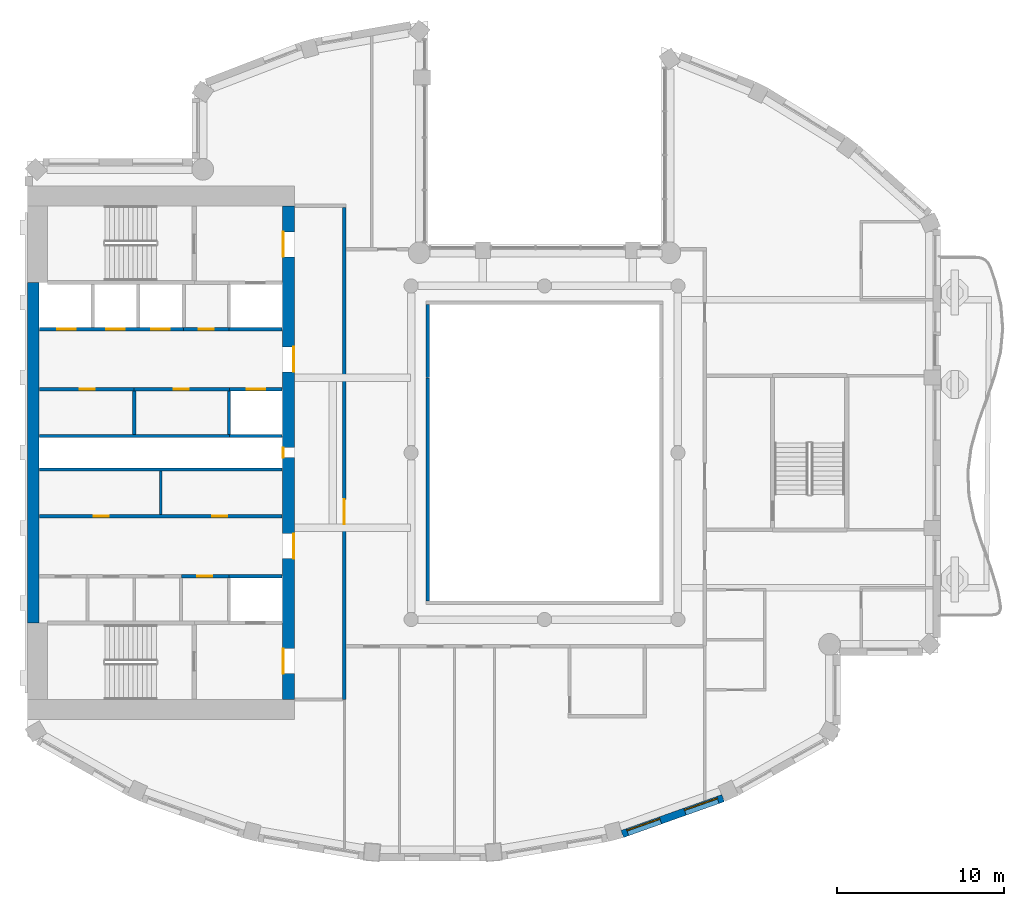
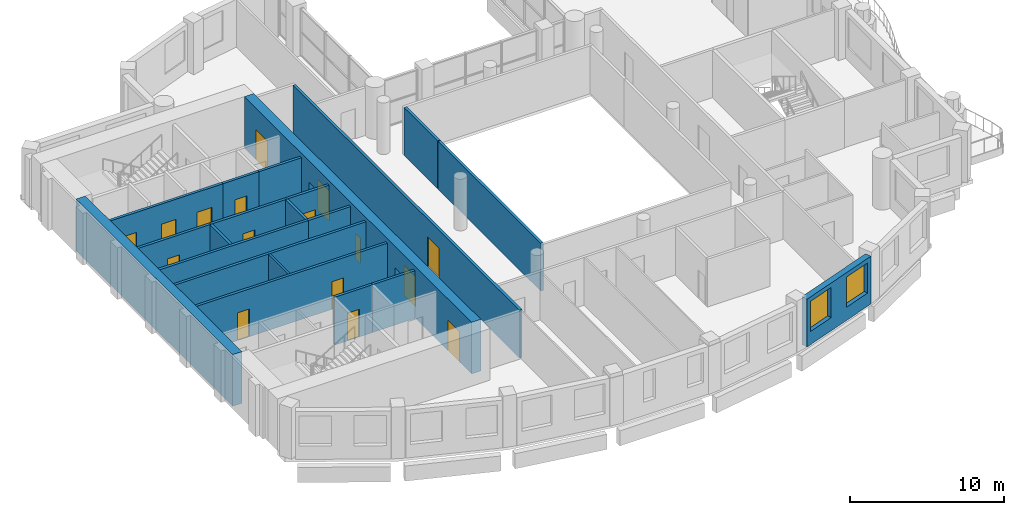
# One storey, part 5 of 14: 21 walls, 16 doors, 2 windows, 18 openings.
"""IFC4 building model written with IfcOpenShell, lengths in metres."""

from ifc_helpers import new_model, si_unit, direction, frame, frame_2d, origin, place, context, subcontext, project, spatial, rectangle, extrude, material, layer, layer_set, type_object, element, fill, save


model = new_model("IFC4")

# Units and contexts
model_context = context("Model", 3, precision=1e-05, world=origin(), true_north=direction((0.0, 1.0)))
body_context = subcontext(model_context, "Body", "Model", "MODEL_VIEW")
ifc_project = project(units=[si_unit("LENGTHUNIT", "METRE"), si_unit("AREAUNIT", "SQUARE_METRE"), si_unit("VOLUMEUNIT", "CUBIC_METRE"), si_unit("PLANEANGLEUNIT", "RADIAN"), si_unit("MASSUNIT", "GRAM", prefix="KILO")], contexts=[model_context])

# Site, building, storey
site_placement = place(None, origin())
site = spatial("IfcSite", under=ifc_project, at=site_placement, CompositionType="ELEMENT")
building_placement = place(site_placement, origin())
building = spatial("IfcBuilding", under=site, at=building_placement, Name="Cypress Arch Tower", CompositionType="ELEMENT")
storey_placement = place(building_placement, frame((0.0, 0.0, 296.699951171875)))
storey = spatial("IfcBuildingStorey", under=building, at=storey_placement, Name="L67", CompositionType="ELEMENT", Elevation=296.699951171875)

# Wall, openings, windows
ifc_material_1 = material(Name="Brick (red buff blend)", Category="masonry")
ifc_layer_1 = layer(ifc_material_1, 0.449951171875)
ifc_layer_set_1 = layer_set([ifc_layer_1], Name="Brick pier and spandrel wall BW450")
wall_type_1 = type_object("IfcWallType", Name="Brick pier and spandrel wall BW450", PredefinedType="SOLIDWALL", material=ifc_layer_set_1)
wall_1_placement = place(storey_placement, frame((5.66455078125, -22.859375, 0.0), z_axis=(0.0, 0.0, 1.0), x_axis=(0.942108340262, 0.335308626803, 0.0)))
wall_1 = element("IfcWall", 1, at=wall_1_placement, inside=storey, type_object=wall_type_1, Name="Brick wall L67 C13.0", PredefinedType="SOLIDWALL", context=body_context, shape_type="SweptSolid", body=[
    extrude(rectangle(XDim=6.41162109375, YDim=0.449951171875, at=frame_2d((3.205810546875, 0.0))), origin(), (0.0, 0.0, 1.0), 3.800048828125),
])
opening_1_placement = place(wall_1_placement, frame((0.3271484375, 0.0, 1.050048828125)))
opening_1 = element("IfcOpeningElement", 2, at=opening_1_placement, cuts=wall_1, Name="Opening W210O", PredefinedType="OPENING", context=body_context, shape_type="SweptSolid", body=[
    extrude(rectangle(XDim=2.10009765625, YDim=2.39990234375, at=frame_2d((1.050048828125, 1.199951171875))), frame((0.0, 0.23486328125, 0.0), z_axis=(0.0, -1.0, 0.0), x_axis=(1.0, 0.0, 0.0)), (0.0, 0.0, 1.0), 0.469970703125),
])
opening_2_placement = place(wall_1_placement, frame((3.984619140625, 0.0, 1.050048828125)))
opening_2 = element("IfcOpeningElement", 3, at=opening_2_placement, cuts=wall_1, Name="Opening W210O", PredefinedType="OPENING", context=body_context, shape_type="SweptSolid", body=[
    extrude(rectangle(XDim=2.10009765625, YDim=2.39990234375, at=frame_2d((1.050048828125, 1.199951171875))), frame((0.0, 0.23486328125, 0.0), z_axis=(0.0, -1.0, 0.0), x_axis=(1.0, 0.0, 0.0)), (0.0, 0.0, 1.0), 0.469970703125),
])
ifc_material_2 = material(Name="Anodised aluminium, bronze finish, clear low-emissivity double glazing", Category="aluminium")
window_type = type_object("IfcWindowType", Name="Window Office 2100x2400", PartitioningType="SINGLE_PANEL", PredefinedType="WINDOW", material=ifc_material_2)
window_1_placement = place(opening_1_placement, origin())
window_1 = element("IfcWindow", 4, at=window_1_placement, inside=storey, type_object=window_type, Name="Window L67 C13.0.1", OverallHeight=2.39990234375, OverallWidth=2.10009765625, PartitioningType="SINGLE_PANEL", PredefinedType="WINDOW", context=body_context, shape_type="SweptSolid", body=[
    extrude(rectangle(XDim=2.10009765625, YDim=2.39990234375, at=frame_2d((1.050048828125, 1.199951171875))), frame((0.0, 0.135009765625, 0.0), z_axis=(0.0, -1.0, 0.0), x_axis=(1.0, 0.0, 0.0)), (0.0, 0.0, 1.0), 0.06005859375),
])
fill(opening_1, window_1)
window_2_placement = place(opening_2_placement, origin())
window_2 = element("IfcWindow", 5, at=window_2_placement, inside=storey, type_object=window_type, Name="Window L67 C13.0.2", OverallHeight=2.39990234375, OverallWidth=2.10009765625, PartitioningType="SINGLE_PANEL", PredefinedType="WINDOW", context=body_context, shape_type="SweptSolid", body=[
    extrude(rectangle(XDim=2.10009765625, YDim=2.39990234375, at=frame_2d((1.050048828125, 1.199951171875))), frame((0.0, 0.135009765625, 0.0), z_axis=(0.0, -1.0, 0.0), x_axis=(1.0, 0.0, 0.0)), (0.0, 0.0, 1.0), 0.06005859375),
])
fill(opening_2, window_2)

# Wall, openings, doors
ifc_material_3 = material(Name="Concrete C60/75", Category="concrete")
ifc_layer_2 = layer(ifc_material_3, 0.699951171875)
ifc_layer_set_2 = layer_set([ifc_layer_2], Name="Core wall CW700 C60/75")
wall_type_2 = type_object("IfcWallType", Name="Core wall CW700 C60/75", PredefinedType="SHEAR", material=ifc_layer_set_2)
wall_2_placement = place(storey_placement, frame((-14.35009765625, -14.800048828125, 0.0), z_axis=(0.0, 0.0, 1.0), x_axis=(0.0, 1.0, 0.0)))
wall_2 = element("IfcWall", 6, at=wall_2_placement, inside=storey, type_object=wall_type_2, Name="Core wall", PredefinedType="SHEAR", context=body_context, shape_type="SweptSolid", body=[
    extrude(rectangle(XDim=29.60009765625, YDim=0.699951171875, at=frame_2d((14.800048828125, 0.0))), origin(), (0.0, 0.0, 1.0), 4.10009765625),
])
opening_3_placement = place(wall_2_placement, frame((1.550048828125, 0.0, 0.0)))
opening_3 = element("IfcOpeningElement", 7, at=opening_3_placement, cuts=wall_2, Name="Opening D07", PredefinedType="OPENING", context=body_context, shape_type="SweptSolid", body=[
    extrude(rectangle(XDim=1.5, YDim=2.39990234375, at=frame_2d((0.75, 1.199951171875))), frame((0.0, 0.35986328125, 0.0), z_axis=(0.0, -1.0, 0.0), x_axis=(1.0, 0.0, 0.0)), (0.0, 0.0, 1.0), 0.719970703125),
])
opening_4_placement = place(wall_2_placement, frame((26.550048828125, 0.0, 0.0)))
opening_4 = element("IfcOpeningElement", 8, at=opening_4_placement, cuts=wall_2, Name="Opening D07", PredefinedType="OPENING", context=body_context, shape_type="SweptSolid", body=[
    extrude(rectangle(XDim=1.5, YDim=2.39990234375, at=frame_2d((0.75, 1.199951171875))), frame((0.0, 0.35986328125, 0.0), z_axis=(0.0, -1.0, 0.0), x_axis=(1.0, 0.0, 0.0)), (0.0, 0.0, 1.0), 0.719970703125),
])
opening_5_placement = place(wall_2_placement, frame((8.449951171875, 0.0, 0.0)))
opening_5 = element("IfcOpeningElement", 9, at=opening_5_placement, cuts=wall_2, Name="Opening D07", PredefinedType="OPENING", context=body_context, shape_type="SweptSolid", body=[
    extrude(rectangle(XDim=1.5, YDim=2.39990234375, at=frame_2d((0.75, 1.199951171875))), frame((0.0, 0.35986328125, 0.0), z_axis=(0.0, -1.0, 0.0), x_axis=(1.0, 0.0, 0.0)), (0.0, 0.0, 1.0), 0.719970703125),
])
opening_6_placement = place(wall_2_placement, frame((19.64990234375, 0.0, 0.0)))
opening_6 = element("IfcOpeningElement", 10, at=opening_6_placement, cuts=wall_2, Name="Opening D07", PredefinedType="OPENING", context=body_context, shape_type="SweptSolid", body=[
    extrude(rectangle(XDim=1.5, YDim=2.39990234375, at=frame_2d((0.75, 1.199951171875))), frame((0.0, 0.35986328125, 0.0), z_axis=(0.0, -1.0, 0.0), x_axis=(1.0, 0.0, 0.0)), (0.0, 0.0, 1.0), 0.719970703125),
])
opening_7_placement = place(wall_2_placement, frame((14.5, 0.0, 0.0)))
opening_7 = element("IfcOpeningElement", 11, at=opening_7_placement, cuts=wall_2, Name="Opening D08", PredefinedType="OPENING", context=body_context, shape_type="SweptSolid", body=[
    extrude(rectangle(XDim=0.60009765625, YDim=2.0, at=frame_2d((0.300048828125, 1.0))), frame((0.0, 0.35986328125, 0.0), z_axis=(0.0, -1.0, 0.0), x_axis=(1.0, 0.0, 0.0)), (0.0, 0.0, 1.0), 0.719970703125),
])
ifc_material_4 = material(Name="Steel framed glazed door, fire resisting", Category="steel")
door_type_1 = type_object("IfcDoorType", Name="Lobby door D07 1500x2400", OperationType="DOUBLE_DOOR_SINGLE_SWING", PredefinedType="DOOR", material=ifc_material_4)
door_1_placement = place(opening_3_placement, origin())
door_1 = element("IfcDoor", 12, at=door_1_placement, inside=storey, type_object=door_type_1, Name="Lobby door", OperationType="DOUBLE_DOOR_SINGLE_SWING", OverallHeight=2.39990234375, OverallWidth=1.5, PredefinedType="DOOR", context=body_context, shape_type="SweptSolid", body=[
    extrude(rectangle(XDim=1.5, YDim=2.39990234375, at=frame_2d((0.75, 1.199951171875))), frame((0.0, 0.34521484375, 0.0), z_axis=(0.0, -1.0, 0.0), x_axis=(1.0, 0.0, 0.0)), (0.0, 0.0, 1.0), 0.050048828125),
])
fill(opening_3, door_1)
door_2_placement = place(opening_4_placement, origin())
door_2 = element("IfcDoor", 13, at=door_2_placement, inside=storey, type_object=door_type_1, Name="Lobby door", OperationType="DOUBLE_DOOR_SINGLE_SWING", OverallHeight=2.39990234375, OverallWidth=1.5, PredefinedType="DOOR", context=body_context, shape_type="SweptSolid", body=[
    extrude(rectangle(XDim=1.5, YDim=2.39990234375, at=frame_2d((0.75, 1.199951171875))), frame((0.0, 0.34521484375, 0.0), z_axis=(0.0, -1.0, 0.0), x_axis=(1.0, 0.0, 0.0)), (0.0, 0.0, 1.0), 0.050048828125),
])
fill(opening_4, door_2)
door_3_placement = place(opening_5_placement, origin())
door_3 = element("IfcDoor", 14, at=door_3_placement, inside=storey, type_object=door_type_1, Name="Lobby door", OperationType="DOUBLE_DOOR_SINGLE_SWING", OverallHeight=2.39990234375, OverallWidth=1.5, PredefinedType="DOOR", context=body_context, shape_type="SweptSolid", body=[
    extrude(rectangle(XDim=1.5, YDim=2.39990234375, at=frame_2d((0.75, 1.199951171875))), frame((0.0, -0.294921875, 0.0), z_axis=(0.0, -1.0, 0.0), x_axis=(1.0, 0.0, 0.0)), (0.0, 0.0, 1.0), 0.050048828125),
])
fill(opening_5, door_3)
door_4_placement = place(opening_6_placement, origin())
door_4 = element("IfcDoor", 15, at=door_4_placement, inside=storey, type_object=door_type_1, Name="Lobby door", OperationType="DOUBLE_DOOR_SINGLE_SWING", OverallHeight=2.39990234375, OverallWidth=1.5, PredefinedType="DOOR", context=body_context, shape_type="SweptSolid", body=[
    extrude(rectangle(XDim=1.5, YDim=2.39990234375, at=frame_2d((0.75, 1.199951171875))), frame((0.0, -0.294921875, 0.0), z_axis=(0.0, -1.0, 0.0), x_axis=(1.0, 0.0, 0.0)), (0.0, 0.0, 1.0), 0.050048828125),
])
fill(opening_6, door_4)
ifc_material_5 = material(Name="Steel access door, fire resisting", Category="steel")
door_type_2 = type_object("IfcDoorType", Name="Riser access door D08 600x2000", OperationType="SINGLE_SWING_LEFT", PredefinedType="DOOR", material=ifc_material_5)
door_5_placement = place(opening_7_placement, origin())
door_5 = element("IfcDoor", 16, at=door_5_placement, inside=storey, type_object=door_type_2, Name="Riser access door", OperationType="SINGLE_SWING_RIGHT", OverallHeight=2.0, OverallWidth=0.60009765625, PredefinedType="DOOR", context=body_context, shape_type="SweptSolid", body=[
    extrude(rectangle(XDim=0.60009765625, YDim=2.0, at=frame_2d((0.300048828125, 1.0))), frame((0.0, 0.34521484375, 0.0), z_axis=(0.0, -1.0, 0.0), x_axis=(1.0, 0.0, 0.0)), (0.0, 0.0, 1.0), 0.050048828125),
])
fill(opening_7, door_5)

# Wall
wall_3_placement = place(storey_placement, frame((-29.64990234375, -10.199951171875, 0.0), z_axis=(0.0, 0.0, 1.0), x_axis=(0.0, 1.0, 0.0)))
element("IfcWall", 17, at=wall_3_placement, inside=storey, type_object=wall_type_2, Name="Core wall", PredefinedType="SHEAR", context=body_context, shape_type="SweptSolid", body=[
    extrude(rectangle(XDim=20.39990234375, YDim=0.699951171875, at=frame_2d((10.199951171875, 0.0))), origin(), (0.0, 0.0, 1.0), 4.10009765625),
])

# Wall, openings, doors
ifc_material_6 = material(Name="Concrete blockwork, plastered, rated", Category="masonry")
ifc_layer_3 = layer(ifc_material_6, 0.199951171875)
ifc_layer_set_3 = layer_set([ifc_layer_3], Name="Corridor wall FW200")
wall_type_3 = type_object("IfcWallType", Name="Corridor wall FW200", PredefinedType="PARTITIONING", material=ifc_layer_set_3)
wall_4_placement = place(storey_placement, frame((-29.27001953125, -3.800048828125, 0.0), z_axis=(0.0, 0.0, 1.0), x_axis=(1.0, 0.0, 0.0)))
wall_4 = element("IfcWall", 18, at=wall_4_placement, inside=storey, type_object=wall_type_3, Name="Corridor wall", PredefinedType="PARTITIONING", context=body_context, shape_type="SweptSolid", body=[
    extrude(rectangle(XDim=14.5400390625, YDim=0.199951171875, at=frame_2d((7.27001953125, 0.0))), origin(), (0.0, 0.0, 1.0), 3.800048828125),
])
opening_8_placement = place(wall_4_placement, frame((3.25, 0.0, 0.0)))
opening_8 = element("IfcOpeningElement", 19, at=opening_8_placement, cuts=wall_4, Name="Opening D05", PredefinedType="OPENING", context=body_context, shape_type="SweptSolid", body=[
    extrude(rectangle(XDim=0.89990234375, YDim=2.199951171875, at=frame_2d((0.449951171875, 1.10009765625))), frame((0.0, 0.10986328125, 0.0), z_axis=(0.0, -1.0, 0.0), x_axis=(1.0, 0.0, 0.0)), (0.0, 0.0, 1.0), 0.219970703125),
])
opening_9_placement = place(wall_4_placement, frame((10.35009765625, 0.0, 0.0)))
opening_9 = element("IfcOpeningElement", 20, at=opening_9_placement, cuts=wall_4, Name="Opening D05", PredefinedType="OPENING", context=body_context, shape_type="SweptSolid", body=[
    extrude(rectangle(XDim=0.89990234375, YDim=2.199951171875, at=frame_2d((0.449951171875, 1.10009765625))), frame((0.0, 0.10986328125, 0.0), z_axis=(0.0, -1.0, 0.0), x_axis=(1.0, 0.0, 0.0)), (0.0, 0.0, 1.0), 0.219970703125),
])
ifc_material_7 = material(Name="Timber flush door", Category="wood")
door_type_3 = type_object("IfcDoorType", Name="Service door D05 900x2200", OperationType="SINGLE_SWING_LEFT", PredefinedType="DOOR", material=ifc_material_7)
door_6_placement = place(opening_8_placement, origin())
door_6 = element("IfcDoor", 21, at=door_6_placement, inside=storey, type_object=door_type_3, Name="Service door", OperationType="SINGLE_SWING_LEFT", OverallHeight=2.199951171875, OverallWidth=0.89990234375, PredefinedType="DOOR", context=body_context, shape_type="SweptSolid", body=[
    extrude(rectangle(XDim=0.89990234375, YDim=2.199951171875, at=frame_2d((0.449951171875, 1.10009765625))), frame((0.0, 0.02490234375, 0.0), z_axis=(0.0, -1.0, 0.0), x_axis=(1.0, 0.0, 0.0)), (0.0, 0.0, 1.0), 0.050048828125),
])
fill(opening_8, door_6)
door_7_placement = place(opening_9_placement, origin())
door_7 = element("IfcDoor", 22, at=door_7_placement, inside=storey, type_object=door_type_3, Name="Service door", OperationType="SINGLE_SWING_RIGHT", OverallHeight=2.199951171875, OverallWidth=0.89990234375, PredefinedType="DOOR", context=body_context, shape_type="SweptSolid", body=[
    extrude(rectangle(XDim=0.89990234375, YDim=2.199951171875, at=frame_2d((0.449951171875, 1.10009765625))), frame((0.0, 0.02490234375, 0.0), z_axis=(0.0, -1.0, 0.0), x_axis=(1.0, 0.0, 0.0)), (0.0, 0.0, 1.0), 0.050048828125),
])
fill(opening_9, door_7)

# Wall, opening, door
wall_5_placement = place(storey_placement, frame((-23.6201171875, 3.800048828125, 0.0), z_axis=(0.0, 0.0, 1.0), x_axis=(1.0, 0.0, 0.0)))
wall_5 = element("IfcWall", 23, at=wall_5_placement, inside=storey, type_object=wall_type_3, Name="Corridor wall", PredefinedType="PARTITIONING", context=body_context, shape_type="SweptSolid", body=[
    extrude(rectangle(XDim=5.72021484375, YDim=0.199951171875, at=frame_2d((2.860107421875, 0.0))), origin(), (0.0, 0.0, 1.0), 3.800048828125),
])
opening_10_placement = place(wall_5_placement, frame((2.39990234375, 0.0, 0.0)))
opening_10 = element("IfcOpeningElement", 24, at=opening_10_placement, cuts=wall_5, Name="Opening D05", PredefinedType="OPENING", context=body_context, shape_type="SweptSolid", body=[
    extrude(rectangle(XDim=0.89990234375, YDim=2.199951171875, at=frame_2d((0.449951171875, 1.10009765625))), frame((0.0, 0.10986328125, 0.0), z_axis=(0.0, -1.0, 0.0), x_axis=(1.0, 0.0, 0.0)), (0.0, 0.0, 1.0), 0.219970703125),
])
door_8_placement = place(opening_10_placement, origin())
door_8 = element("IfcDoor", 25, at=door_8_placement, inside=storey, type_object=door_type_3, Name="Service door", OperationType="SINGLE_SWING_RIGHT", OverallHeight=2.199951171875, OverallWidth=0.89990234375, PredefinedType="DOOR", context=body_context, shape_type="SweptSolid", body=[
    extrude(rectangle(XDim=0.89990234375, YDim=2.199951171875, at=frame_2d((0.449951171875, 1.10009765625))), frame((0.0, 0.02490234375, 0.0), z_axis=(0.0, -1.0, 0.0), x_axis=(1.0, 0.0, 0.0)), (0.0, 0.0, 1.0), 0.050048828125),
])
fill(opening_10, door_8)

wall_6_placement = place(storey_placement, frame((-20.639892578125, 7.39990234375, 0.0), z_axis=(0.0, 0.0, 1.0), x_axis=(1.0, 0.0, 0.0)))
wall_6 = element("IfcWall", 26, at=wall_6_placement, inside=storey, type_object=wall_type_3, Name="Corridor wall", PredefinedType="PARTITIONING", context=body_context, shape_type="SweptSolid", body=[
    extrude(rectangle(XDim=2.719970703125, YDim=0.199951171875, at=frame_2d((1.35986328125, 0.0))), origin(), (0.0, 0.0, 1.0), 3.800048828125),
])
opening_11_placement = place(wall_6_placement, frame((0.89990234375, 0.0, 0.0)))
opening_11 = element("IfcOpeningElement", 27, at=opening_11_placement, cuts=wall_6, Name="Opening D05", PredefinedType="OPENING", context=body_context, shape_type="SweptSolid", body=[
    extrude(rectangle(XDim=0.89990234375, YDim=2.199951171875, at=frame_2d((0.449951171875, 1.10009765625))), frame((0.0, 0.10986328125, 0.0), z_axis=(0.0, -1.0, 0.0), x_axis=(1.0, 0.0, 0.0)), (0.0, 0.0, 1.0), 0.219970703125),
])
door_9_placement = place(opening_11_placement, origin())
door_9 = element("IfcDoor", 28, at=door_9_placement, inside=storey, type_object=door_type_3, Name="Service door", OperationType="SINGLE_SWING_LEFT", OverallHeight=2.199951171875, OverallWidth=0.89990234375, PredefinedType="DOOR", context=body_context, shape_type="SweptSolid", body=[
    extrude(rectangle(XDim=0.89990234375, YDim=2.199951171875, at=frame_2d((0.449951171875, 1.10009765625))), frame((0.0, 0.02490234375, 0.0), z_axis=(0.0, -1.0, 0.0), x_axis=(1.0, 0.0, 0.0)), (0.0, 0.0, 1.0), 0.050048828125),
])
fill(opening_11, door_9)

wall_7_placement = place(storey_placement, frame((-11.0, -14.800048828125, 0.0), z_axis=(0.0, 0.0, 1.0), x_axis=(0.0, 1.0, 0.0)))
wall_7 = element("IfcWall", 29, at=wall_7_placement, inside=storey, type_object=wall_type_3, Name="Corridor wall", PredefinedType="PARTITIONING", context=body_context, shape_type="SweptSolid", body=[
    extrude(rectangle(XDim=29.5, YDim=0.199951171875, at=frame_2d((14.75, 0.0))), origin(), (0.0, 0.0, 1.0), 3.800048828125),
])
opening_12_placement = place(wall_7_placement, frame((10.5, 0.0, 0.0)))
opening_12 = element("IfcOpeningElement", 30, at=opening_12_placement, cuts=wall_7, Name="Opening D07", PredefinedType="OPENING", context=body_context, shape_type="SweptSolid", body=[
    extrude(rectangle(XDim=1.5, YDim=2.39990234375, at=frame_2d((0.75, 1.199951171875))), frame((0.0, 0.10986328125, 0.0), z_axis=(0.0, -1.0, 0.0), x_axis=(1.0, 0.0, 0.0)), (0.0, 0.0, 1.0), 0.219970703125),
])
door_10_placement = place(opening_12_placement, origin())
door_10 = element("IfcDoor", 31, at=door_10_placement, inside=storey, type_object=door_type_1, Name="Lobby door", OperationType="DOUBLE_DOOR_SINGLE_SWING", OverallHeight=2.39990234375, OverallWidth=1.5, PredefinedType="DOOR", context=body_context, shape_type="SweptSolid", body=[
    extrude(rectangle(XDim=1.5, YDim=2.39990234375, at=frame_2d((0.75, 1.199951171875))), frame((0.0, 0.02490234375, 0.0), z_axis=(0.0, -1.0, 0.0), x_axis=(1.0, 0.0, 0.0)), (0.0, 0.0, 1.0), 0.050048828125),
])
fill(opening_12, door_10)

# Walls
wall_8_placement = place(storey_placement, frame((-6.0, -8.89990234375, 0.0), z_axis=(0.0, 0.0, 1.0), x_axis=(0.0, 1.0, 0.0)))
element("IfcWall", 32, at=wall_8_placement, inside=storey, type_object=wall_type_3, Name="Corridor wall", PredefinedType="PARTITIONING", context=body_context, shape_type="SweptSolid", body=[
    extrude(rectangle(XDim=13.3798828125, YDim=0.199951171875, at=frame_2d((6.68994140625, 0.0))), origin(), (0.0, 0.0, 1.0), 3.800048828125),
])
wall_9_placement = place(storey_placement, frame((-6.0, 4.52001953125, 0.0), z_axis=(0.0, 0.0, 1.0), x_axis=(0.0, 1.0, 0.0)))
element("IfcWall", 33, at=wall_9_placement, inside=storey, type_object=wall_type_3, Name="Corridor wall", PredefinedType="PARTITIONING", context=body_context, shape_type="SweptSolid", body=[
    extrude(rectangle(XDim=4.3798828125, YDim=0.199951171875, at=frame_2d((2.18994140625, 0.0))), origin(), (0.0, 0.0, 1.0), 3.800048828125),
])
ifc_material_8 = material(Name="Blockwork, plastered both sides", Category="masonry")
ifc_layer_4 = layer(ifc_material_8, 0.14990234375)
ifc_layer_set_4 = layer_set([ifc_layer_4], Name="Partition PW150")
wall_type_4 = type_object("IfcWallType", Name="Partition PW150", PredefinedType="PARTITIONING", material=ifc_layer_set_4)
wall_10_placement = place(storey_placement, frame((-22.0, -3.699951171875, 0.0), z_axis=(0.0, 0.0, 1.0), x_axis=(0.0, 1.0, 0.0)))
element("IfcWall", 34, at=wall_10_placement, inside=storey, type_object=wall_type_4, Name="Partition", PredefinedType="PARTITIONING", context=body_context, shape_type="SweptSolid", body=[
    extrude(rectangle(XDim=2.599853515625, YDim=0.14990234375, at=frame_2d((1.2998046875, 0.0))), origin(), (0.0, 0.0, 1.0), 3.800048828125),
])
ifc_material_9 = material(Name="Reinforced blockwork, plastered, rated", Category="masonry")
ifc_layer_5 = layer(ifc_material_9, 0.199951171875)
ifc_layer_set_5 = layer_set([ifc_layer_5], Name="Plant and riser wall PL200")
wall_type_5 = type_object("IfcWallType", Name="Plant and riser wall PL200", PredefinedType="PARTITIONING", material=ifc_layer_set_5)
wall_11_placement = place(storey_placement, frame((-29.27001953125, -1.0, 0.0), z_axis=(0.0, 0.0, 1.0), x_axis=(1.0, 0.0, 0.0)))
element("IfcWall", 35, at=wall_11_placement, inside=storey, type_object=wall_type_5, Name="Plant and riser wall", PredefinedType="PARTITIONING", context=body_context, shape_type="SweptSolid", body=[
    extrude(rectangle(XDim=14.5400390625, YDim=0.199951171875, at=frame_2d((7.27001953125, 0.0))), origin(), (0.0, 0.0, 1.0), 3.800048828125),
])
wall_12_placement = place(storey_placement, frame((-29.27001953125, 1.0, 0.0), z_axis=(0.0, 0.0, 1.0), x_axis=(1.0, 0.0, 0.0)))
element("IfcWall", 36, at=wall_12_placement, inside=storey, type_object=wall_type_5, Name="Plant and riser wall", PredefinedType="PARTITIONING", context=body_context, shape_type="SweptSolid", body=[
    extrude(rectangle(XDim=11.3701171875, YDim=0.199951171875, at=frame_2d((5.68505859375, 0.0))), origin(), (0.0, 0.0, 1.0), 3.800048828125),
])

# Wall, opening, door
wall_13_placement = place(storey_placement, frame((-29.27001953125, 3.800048828125, 0.0), z_axis=(0.0, 0.0, 1.0), x_axis=(1.0, 0.0, 0.0)))
wall_13 = element("IfcWall", 37, at=wall_13_placement, inside=storey, type_object=wall_type_5, Name="Plant and riser wall", PredefinedType="PARTITIONING", context=body_context, shape_type="SweptSolid", body=[
    extrude(rectangle(XDim=5.64990234375, YDim=0.199951171875, at=frame_2d((2.824951171875, 0.0))), origin(), (0.0, 0.0, 1.0), 3.800048828125),
])
opening_13_placement = place(wall_13_placement, frame((2.39990234375, 0.0, 0.0)))
opening_13 = element("IfcOpeningElement", 38, at=opening_13_placement, cuts=wall_13, Name="Opening D05", PredefinedType="OPENING", context=body_context, shape_type="SweptSolid", body=[
    extrude(rectangle(XDim=0.89990234375, YDim=2.199951171875, at=frame_2d((0.449951171875, 1.10009765625))), frame((0.0, 0.10986328125, 0.0), z_axis=(0.0, -1.0, 0.0), x_axis=(1.0, 0.0, 0.0)), (0.0, 0.0, 1.0), 0.219970703125),
])
door_11_placement = place(opening_13_placement, origin())
door_11 = element("IfcDoor", 39, at=door_11_placement, inside=storey, type_object=door_type_3, Name="Service door", OperationType="SINGLE_SWING_LEFT", OverallHeight=2.199951171875, OverallWidth=0.89990234375, PredefinedType="DOOR", context=body_context, shape_type="SweptSolid", body=[
    extrude(rectangle(XDim=0.89990234375, YDim=2.199951171875, at=frame_2d((0.449951171875, 1.10009765625))), frame((0.0, 0.02490234375, 0.0), z_axis=(0.0, -1.0, 0.0), x_axis=(1.0, 0.0, 0.0)), (0.0, 0.0, 1.0), 0.050048828125),
])
fill(opening_13, door_11)

# Wall
wall_14_placement = place(storey_placement, frame((-23.60009765625, 1.10009765625, 0.0), z_axis=(0.0, 0.0, 1.0), x_axis=(0.0, 1.0, 0.0)))
element("IfcWall", 40, at=wall_14_placement, inside=storey, type_object=wall_type_5, Name="Plant and riser wall", PredefinedType="PARTITIONING", context=body_context, shape_type="SweptSolid", body=[
    extrude(rectangle(XDim=2.599853515625, YDim=0.199951171875, at=frame_2d((1.2998046875, 0.0))), origin(), (0.0, 0.0, 1.0), 3.800048828125),
])

# Wall, opening, door
wall_15_placement = place(storey_placement, frame((-20.780029296875, -7.39990234375, 0.0), z_axis=(0.0, 0.0, 1.0), x_axis=(1.0, 0.0, 0.0)))
wall_15 = element("IfcWall", 41, at=wall_15_placement, inside=storey, type_object=wall_type_5, Name="Plant and riser wall", PredefinedType="PARTITIONING", context=body_context, shape_type="SweptSolid", body=[
    extrude(rectangle(XDim=2.860107421875, YDim=0.199951171875, at=frame_2d((1.43017578125, 0.0))), origin(), (0.0, 0.0, 1.0), 3.800048828125),
])
opening_14_placement = place(wall_15_placement, frame((0.949951171875, 0.0, 0.0)))
opening_14 = element("IfcOpeningElement", 42, at=opening_14_placement, cuts=wall_15, Name="Opening D05", PredefinedType="OPENING", context=body_context, shape_type="SweptSolid", body=[
    extrude(rectangle(XDim=0.89990234375, YDim=2.199951171875, at=frame_2d((0.449951171875, 1.10009765625))), frame((0.0, 0.10986328125, 0.0), z_axis=(0.0, -1.0, 0.0), x_axis=(1.0, 0.0, 0.0)), (0.0, 0.0, 1.0), 0.219970703125),
])
door_12_placement = place(opening_14_placement, origin())
door_12 = element("IfcDoor", 43, at=door_12_placement, inside=storey, type_object=door_type_3, Name="Service door", OperationType="SINGLE_SWING_RIGHT", OverallHeight=2.199951171875, OverallWidth=0.89990234375, PredefinedType="DOOR", context=body_context, shape_type="SweptSolid", body=[
    extrude(rectangle(XDim=0.89990234375, YDim=2.199951171875, at=frame_2d((0.449951171875, 1.10009765625))), frame((0.0, 0.02490234375, 0.0), z_axis=(0.0, -1.0, 0.0), x_axis=(1.0, 0.0, 0.0)), (0.0, 0.0, 1.0), 0.050048828125),
])
fill(opening_14, door_12)

# Wall, openings, doors
ifc_material_10 = material(Name="Concrete C50/60", Category="concrete")
ifc_layer_6 = layer(ifc_material_10, 0.199951171875)
ifc_layer_set_6 = layer_set([ifc_layer_6], Name="Shaft wall SH200")
wall_type_6 = type_object("IfcWallType", Name="Shaft wall SH200", PredefinedType="SHEAR", material=ifc_layer_set_6)
wall_16_placement = place(storey_placement, frame((-29.27001953125, 7.39990234375, 0.0), z_axis=(0.0, 0.0, 1.0), x_axis=(1.0, 0.0, 0.0)))
wall_16 = element("IfcWall", 44, at=wall_16_placement, inside=storey, type_object=wall_type_6, Name="Shaft wall", PredefinedType="SHEAR", context=body_context, shape_type="SweptSolid", body=[
    extrude(rectangle(XDim=8.630126953125, YDim=0.199951171875, at=frame_2d((4.31494140625, 0.0))), origin(), (0.0, 0.0, 1.0), 3.800048828125),
])
opening_15_placement = place(wall_16_placement, frame((1.050048828125, 0.0, 0.0)))
opening_15 = element("IfcOpeningElement", 45, at=opening_15_placement, cuts=wall_16, Name="Opening LD-HR5", PredefinedType="OPENING", context=body_context, shape_type="SweptSolid", body=[
    extrude(rectangle(XDim=1.10009765625, YDim=2.199951171875, at=frame_2d((0.550048828125, 1.10009765625))), frame((0.0, 0.10986328125, 0.0), z_axis=(0.0, -1.0, 0.0), x_axis=(1.0, 0.0, 0.0)), (0.0, 0.0, 1.0), 0.219970703125),
])
opening_16_placement = place(wall_16_placement, frame((4.0, 0.0, 0.0)))
opening_16 = element("IfcOpeningElement", 46, at=opening_16_placement, cuts=wall_16, Name="Opening LD-HR6", PredefinedType="OPENING", context=body_context, shape_type="SweptSolid", body=[
    extrude(rectangle(XDim=1.10009765625, YDim=2.199951171875, at=frame_2d((0.550048828125, 1.10009765625))), frame((0.0, 0.10986328125, 0.0), z_axis=(0.0, -1.0, 0.0), x_axis=(1.0, 0.0, 0.0)), (0.0, 0.0, 1.0), 0.219970703125),
])
opening_17_placement = place(wall_16_placement, frame((6.699951171875, 0.0, 0.0)))
opening_17 = element("IfcOpeningElement", 47, at=opening_17_placement, cuts=wall_16, Name="Opening LD-HR7", PredefinedType="OPENING", context=body_context, shape_type="SweptSolid", body=[
    extrude(rectangle(XDim=1.10009765625, YDim=2.199951171875, at=frame_2d((0.550048828125, 1.10009765625))), frame((0.0, 0.10986328125, 0.0), z_axis=(0.0, -1.0, 0.0), x_axis=(1.0, 0.0, 0.0)), (0.0, 0.0, 1.0), 0.219970703125),
])
ifc_material_11 = material(Name="Stainless steel centre-opening landing door, rated", Category="steel")
door_type_4 = type_object("IfcDoorType", Name="Lift landing door LD 1100x2200", OperationType="DOUBLE_DOOR_SLIDING", PredefinedType="DOOR", material=ifc_material_11)
door_13_placement = place(opening_15_placement, origin())
door_13 = element("IfcDoor", 48, at=door_13_placement, inside=storey, type_object=door_type_4, Name="Lift landing doors HR5", OperationType="DOUBLE_DOOR_SLIDING", OverallHeight=2.199951171875, OverallWidth=1.10009765625, PredefinedType="DOOR", context=body_context, shape_type="SweptSolid", body=[
    extrude(rectangle(XDim=1.10009765625, YDim=2.199951171875, at=frame_2d((0.550048828125, 1.10009765625))), frame((0.0, 0.02490234375, 0.0), z_axis=(0.0, -1.0, 0.0), x_axis=(1.0, 0.0, 0.0)), (0.0, 0.0, 1.0), 0.050048828125),
])
fill(opening_15, door_13)
door_14_placement = place(opening_16_placement, origin())
door_14 = element("IfcDoor", 49, at=door_14_placement, inside=storey, type_object=door_type_4, Name="Lift landing doors HR6", OperationType="DOUBLE_DOOR_SLIDING", OverallHeight=2.199951171875, OverallWidth=1.10009765625, PredefinedType="DOOR", context=body_context, shape_type="SweptSolid", body=[
    extrude(rectangle(XDim=1.10009765625, YDim=2.199951171875, at=frame_2d((0.550048828125, 1.10009765625))), frame((0.0, 0.02490234375, 0.0), z_axis=(0.0, -1.0, 0.0), x_axis=(1.0, 0.0, 0.0)), (0.0, 0.0, 1.0), 0.050048828125),
])
fill(opening_16, door_14)
door_15_placement = place(opening_17_placement, origin())
door_15 = element("IfcDoor", 50, at=door_15_placement, inside=storey, type_object=door_type_4, Name="Lift landing doors HR7", OperationType="DOUBLE_DOOR_SLIDING", OverallHeight=2.199951171875, OverallWidth=1.10009765625, PredefinedType="DOOR", context=body_context, shape_type="SweptSolid", body=[
    extrude(rectangle(XDim=1.10009765625, YDim=2.199951171875, at=frame_2d((0.550048828125, 1.10009765625))), frame((0.0, 0.02490234375, 0.0), z_axis=(0.0, -1.0, 0.0), x_axis=(1.0, 0.0, 0.0)), (0.0, 0.0, 1.0), 0.050048828125),
])
fill(opening_17, door_15)

# Walls
wall_17_placement = place(storey_placement, frame((-17.919921875, -7.39990234375, 0.0), z_axis=(0.0, 0.0, 1.0), x_axis=(1.0, 0.0, 0.0)))
element("IfcWall", 51, at=wall_17_placement, inside=storey, type_object=wall_type_6, Name="Shaft wall", PredefinedType="SHEAR", context=body_context, shape_type="SweptSolid", body=[
    extrude(rectangle(XDim=3.18994140625, YDim=0.199951171875, at=frame_2d((1.594970703125, 0.0))), origin(), (0.0, 0.0, 1.0), 3.800048828125),
])
wall_18_placement = place(storey_placement, frame((-17.919921875, 1.10009765625, 0.0), z_axis=(0.0, 0.0, 1.0), x_axis=(0.0, 1.0, 0.0)))
element("IfcWall", 52, at=wall_18_placement, inside=storey, type_object=wall_type_6, Name="Shaft wall", PredefinedType="SHEAR", context=body_context, shape_type="SweptSolid", body=[
    extrude(rectangle(XDim=2.599853515625, YDim=0.199951171875, at=frame_2d((1.2998046875, 0.0))), origin(), (0.0, 0.0, 1.0), 3.800048828125),
])
wall_19_placement = place(storey_placement, frame((-17.89990234375, 1.0, 0.0), z_axis=(0.0, 0.0, 1.0), x_axis=(1.0, 0.0, 0.0)))
element("IfcWall", 53, at=wall_19_placement, inside=storey, type_object=wall_type_6, Name="Shaft wall", PredefinedType="SHEAR", context=body_context, shape_type="SweptSolid", body=[
    extrude(rectangle(XDim=3.169921875, YDim=0.199951171875, at=frame_2d((1.5849609375, 0.0))), origin(), (0.0, 0.0, 1.0), 3.800048828125),
])

# Wall, opening, door
wall_20_placement = place(storey_placement, frame((-17.89990234375, 3.800048828125, 0.0), z_axis=(0.0, 0.0, 1.0), x_axis=(1.0, 0.0, 0.0)))
wall_20 = element("IfcWall", 54, at=wall_20_placement, inside=storey, type_object=wall_type_6, Name="Shaft wall", PredefinedType="SHEAR", context=body_context, shape_type="SweptSolid", body=[
    extrude(rectangle(XDim=3.169921875, YDim=0.199951171875, at=frame_2d((1.5849609375, 0.0))), origin(), (0.0, 0.0, 1.0), 3.800048828125),
])
opening_18_placement = place(wall_20_placement, frame((1.050048828125, 0.0, 0.0)))
opening_18 = element("IfcOpeningElement", 55, at=opening_18_placement, cuts=wall_20, Name="Opening LD-HR4", PredefinedType="OPENING", context=body_context, shape_type="SweptSolid", body=[
    extrude(rectangle(XDim=1.10009765625, YDim=2.199951171875, at=frame_2d((0.550048828125, 1.10009765625))), frame((0.0, 0.10986328125, 0.0), z_axis=(0.0, -1.0, 0.0), x_axis=(1.0, 0.0, 0.0)), (0.0, 0.0, 1.0), 0.219970703125),
])
door_16_placement = place(opening_18_placement, origin())
door_16 = element("IfcDoor", 56, at=door_16_placement, inside=storey, type_object=door_type_4, Name="Lift landing doors HR4", OperationType="DOUBLE_DOOR_SLIDING", OverallHeight=2.199951171875, OverallWidth=1.10009765625, PredefinedType="DOOR", context=body_context, shape_type="SweptSolid", body=[
    extrude(rectangle(XDim=1.10009765625, YDim=2.199951171875, at=frame_2d((0.550048828125, 1.10009765625))), frame((0.0, 0.02490234375, 0.0), z_axis=(0.0, -1.0, 0.0), x_axis=(1.0, 0.0, 0.0)), (0.0, 0.0, 1.0), 0.050048828125),
])
fill(opening_18, door_16)

# Wall
wall_21_placement = place(storey_placement, frame((-17.919921875, 7.39990234375, 0.0), z_axis=(0.0, 0.0, 1.0), x_axis=(1.0, 0.0, 0.0)))
element("IfcWall", 57, at=wall_21_placement, inside=storey, type_object=wall_type_6, Name="Shaft wall", PredefinedType="SHEAR", context=body_context, shape_type="SweptSolid", body=[
    extrude(rectangle(XDim=3.18994140625, YDim=0.199951171875, at=frame_2d((1.594970703125, 0.0))), origin(), (0.0, 0.0, 1.0), 3.800048828125),
])

save(model, "model.ifc")
